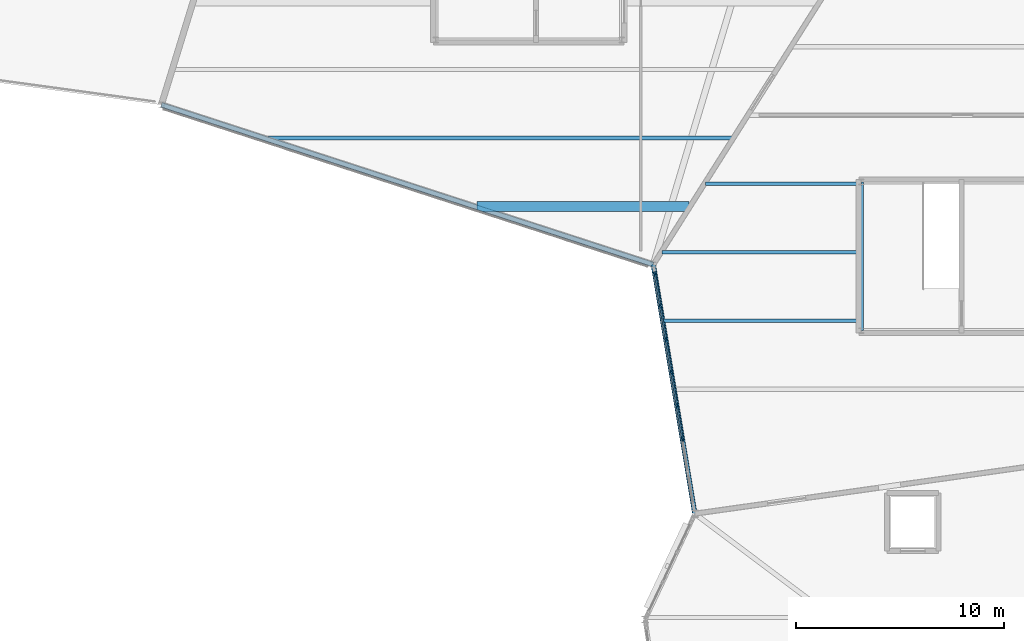
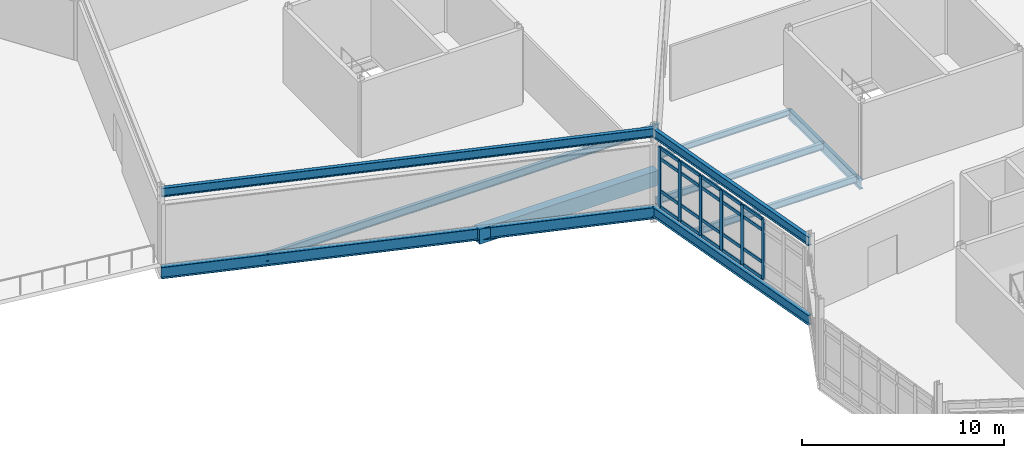
# One storey, part 16 of 76: 26 members, 10 beams, 1 element without a shape of its own.
"""IFC4 building model written with IfcOpenShell, lengths in metres."""

from ifc_helpers import new_model, si_unit, direction, frame, origin, origin_2d, place, context, subcontext, project, spatial, rectangle, i_section, extrude, material, material_profile, profile_set, type_object, element, aggregate, save


model = new_model("IFC4")

# Units and contexts
model_context = context("Model", 3, precision=1e-05, world=origin(), true_north=direction((0.0, 1.0)))
body_context = subcontext(model_context, "Body", "Model", "MODEL_VIEW")
ifc_project = project(units=[si_unit("LENGTHUNIT", "METRE"), si_unit("AREAUNIT", "SQUARE_METRE"), si_unit("VOLUMEUNIT", "CUBIC_METRE"), si_unit("PLANEANGLEUNIT", "RADIAN"), si_unit("MASSUNIT", "GRAM", prefix="KILO")], contexts=[model_context])

# Site, building, storey
site_placement = place(None, origin())
site = spatial("IfcSite", under=ifc_project, at=site_placement, CompositionType="ELEMENT")
building_placement = place(site_placement, origin())
building = spatial("IfcBuilding", under=site, at=building_placement, Name="Tameran Prism Museum", CompositionType="ELEMENT")
storey_placement = place(building_placement, frame((0.0, 0.0, 15.0)))
storey = spatial("IfcBuildingStorey", under=building, at=storey_placement, Name="L03", CompositionType="ELEMENT", Elevation=15.0)

# Beams
ifc_material_1 = material(Name="Steel Grade 300PLUS (300 MPa)", Category="steel")
ifc_material_profile_1 = material_profile(ifc_material_1, i_section(OverallWidth=0.172119140625, OverallDepth=0.35888671875, WebThickness=0.008056640625, FlangeThickness=0.012939453125, FilletRadius=0.011474609375, at=origin_2d()))
ifc_profile_set_1 = profile_set([ifc_material_profile_1])
beam_type_1 = type_object("IfcBeamType", Name="BM-J360A", PredefinedType="JOIST", material=ifc_profile_set_1)
beam_1_placement = place(storey_placement, frame((52.513916015625, 60.5, -0.37939453125), z_axis=(1.0, 0.0, 0.0), x_axis=(0.0, 1.0, 0.0)))
element("IfcBeam", 1, at=beam_1_placement, inside=storey, type_object=beam_type_1, Name="Floor Beam BM-1099", PredefinedType="JOIST", context=body_context, shape_type="SweptSolid", body=[
    extrude(i_section(OverallWidth=0.172119140625, OverallDepth=0.35888671875, WebThickness=0.008056640625, FlangeThickness=0.012939453125, FilletRadius=0.011474609375, at=origin_2d()), origin(), (0.0, 0.0, 1.0), 7.506103515625),
])
ifc_material_2 = material(Name="Steel Grade 300PLUS (300 MPa)", Category="steel")
ifc_material_profile_2 = material_profile(ifc_material_2, i_section(OverallWidth=0.177978515625, OverallDepth=0.403076171875, WebThickness=0.007568359375, FlangeThickness=0.010986328125, FilletRadius=0.011474609375, at=origin_2d()))
ifc_profile_set_2 = profile_set([ifc_material_profile_2])
beam_type_2 = type_object("IfcBeamType", Name="BM-J410B", PredefinedType="JOIST", material=ifc_profile_set_2)
beam_2_placement = place(storey_placement, frame((50.490966796875, 53.89990234375, -0.401611328125), z_axis=(1.0, 0.0, 0.0), x_axis=(0.0, 1.0, 0.0)))
element("IfcBeam", 2, at=beam_2_placement, inside=storey, type_object=beam_type_2, Name="Floor Beam BM-1095", PredefinedType="JOIST", context=body_context, shape_type="SweptSolid", body=[
    extrude(i_section(OverallWidth=0.177978515625, OverallDepth=0.403076171875, WebThickness=0.007568359375, FlangeThickness=0.010986328125, FilletRadius=0.011474609375, at=origin_2d()), origin(), (0.0, 0.0, 1.0), 9.529052734375),
])
beam_3_placement = place(storey_placement, frame((50.427001953125, 57.199951171875, -0.401611328125), z_axis=(1.0, 0.0, 0.0), x_axis=(0.0, 1.0, 0.0)))
element("IfcBeam", 3, at=beam_3_placement, inside=storey, type_object=beam_type_2, Name="Floor Beam BM-1097", PredefinedType="JOIST", context=body_context, shape_type="SweptSolid", body=[
    extrude(i_section(OverallWidth=0.177978515625, OverallDepth=0.403076171875, WebThickness=0.007568359375, FlangeThickness=0.010986328125, FilletRadius=0.011474609375, at=origin_2d()), origin(), (0.0, 0.0, 1.0), 9.593017578125),
])
ifc_material_3 = material(Name="Steel Grade 300PLUS (300 MPa)", Category="steel")
ifc_material_profile_3 = material_profile(ifc_material_3, i_section(OverallWidth=0.19091796875, OverallDepth=0.4599609375, WebThickness=0.010009765625, FlangeThickness=0.01611328125, FilletRadius=0.011474609375, at=origin_2d()))
ifc_profile_set_3 = profile_set([ifc_material_profile_3])
beam_type_3 = type_object("IfcBeamType", Name="BM-J460A", PredefinedType="JOIST", material=ifc_profile_set_3)
beam_4_placement = place(storey_placement, frame((31.35400390625, 62.699951171875, -0.429931640625), z_axis=(1.0, 0.0, 0.0), x_axis=(0.0, 1.0, 0.0)))
element("IfcBeam", 4, at=beam_4_placement, inside=storey, type_object=beam_type_3, Name="Floor Beam BM-1121", PredefinedType="JOIST", context=body_context, shape_type="SweptSolid", body=[
    extrude(i_section(OverallWidth=0.19091796875, OverallDepth=0.4599609375, WebThickness=0.010009765625, FlangeThickness=0.01611328125, FilletRadius=0.011474609375, at=origin_2d()), origin(), (0.0, 0.0, 1.0), 22.45703125),
])
ifc_material_4 = material(Name="Concrete N40 (40 MPa)", Category="concrete")
ifc_material_profile_4 = material_profile(ifc_material_4, rectangle(XDim=0.5, YDim=0.89990234375, at=origin_2d()))
ifc_profile_set_4 = profile_set([ifc_material_profile_4])
beam_type_4 = type_object("IfcBeamType", Name="BM-RC900", PredefinedType="BEAM", material=ifc_profile_set_4)
beam_5_placement = place(storey_placement, frame((41.510986328125, 59.39990234375, -0.64990234375), z_axis=(1.0, 0.0, 0.0), x_axis=(0.0, 1.0, 0.0)))
element("IfcBeam", 5, at=beam_5_placement, inside=storey, type_object=beam_type_4, Name="Floor Beam BM-1120", PredefinedType="BEAM", context=body_context, shape_type="SweptSolid", body=[
    extrude(rectangle(XDim=0.5, YDim=0.89990234375, at=origin_2d()), origin(), (0.0, 0.0, 1.0), 10.213134765625),
])
ifc_material_5 = material(Name="Steel Grade 300PLUS (300 MPa)", Category="steel")
ifc_material_profile_5 = material_profile(ifc_material_5, i_section(OverallWidth=0.208984375, OverallDepth=0.528076171875, WebThickness=0.009521484375, FlangeThickness=0.01318359375, FilletRadius=0.013916015625, at=origin_2d()))
ifc_profile_set_5 = profile_set([ifc_material_profile_5])
beam_type_5 = type_object("IfcBeamType", Name="BM-SP530B", PredefinedType="SPANDREL", material=ifc_profile_set_5)
beam_6_placement = place(storey_placement, frame((50.0, 56.60009765625, 4.256103515625), z_axis=(0.164398987305, -0.986393923832, 0.0), x_axis=(0.986393923832, 0.164398987305, 0.0)))
element("IfcBeam", 6, at=beam_6_placement, inside=storey, type_object=beam_type_5, Name="Roof Ring Beam RB-0970", PredefinedType="SPANDREL", context=body_context, shape_type="SweptSolid", body=[
    extrude(i_section(OverallWidth=0.208984375, OverallDepth=0.528076171875, WebThickness=0.009521484375, FlangeThickness=0.01318359375, FilletRadius=0.013916015625, at=origin_2d()), origin(), (0.0, 0.0, 1.0), 12.16552734375),
])
beam_7_placement = place(storey_placement, frame((26.300048828125, 64.300048828125, 4.285888671875), z_axis=(0.951063943279, -0.308994135535, 0.0), x_axis=(0.308994135535, 0.951063943279, 0.0)))
element("IfcBeam", 7, at=beam_7_placement, inside=storey, type_object=beam_type_5, Name="Roof Ring Beam RB-1001", PredefinedType="SPANDREL", context=body_context, shape_type="SweptSolid", body=[
    extrude(i_section(OverallWidth=0.208984375, OverallDepth=0.528076171875, WebThickness=0.009521484375, FlangeThickness=0.01318359375, FilletRadius=0.013916015625, at=origin_2d()), origin(), (0.0, 0.0, 1.0), 24.91943359375),
])
beam_8_placement = place(storey_placement, frame((60.02001953125, 60.580078125, -0.50390625), z_axis=(0.0, -1.0, 0.0), x_axis=(1.0, 0.0, 0.0)))
element("IfcBeam", 8, at=beam_8_placement, inside=storey, type_object=beam_type_5, Name="Core Ring Beam CTB-1033", PredefinedType="SPANDREL", context=body_context, shape_type="SweptSolid", body=[
    extrude(i_section(OverallWidth=0.208984375, OverallDepth=0.528076171875, WebThickness=0.009521484375, FlangeThickness=0.01318359375, FilletRadius=0.013916015625, at=origin_2d()), origin(), (0.0, 0.0, 1.0), 7.16015625),
])
ifc_material_6 = material(Name="Steel Grade 300PLUS (300 MPa)", Category="steel")
ifc_material_profile_6 = material_profile(ifc_material_6, i_section(OverallWidth=0.22802734375, OverallDepth=0.60205078125, WebThickness=0.010498046875, FlangeThickness=0.014892578125, FilletRadius=0.013916015625, at=origin_2d()))
ifc_profile_set_6 = profile_set([ifc_material_profile_6])
beam_type_6 = type_object("IfcBeamType", Name="BM-SP610", PredefinedType="SPANDREL", material=ifc_profile_set_6)
beam_9_placement = place(storey_placement, frame((50.0, 56.60009765625, -0.5009765625), z_axis=(0.164398987305, -0.986393923832, 0.0), x_axis=(0.986393923832, 0.164398987305, 0.0)))
element("IfcBeam", 9, at=beam_9_placement, inside=storey, type_object=beam_type_6, Name="Perimeter Spandrel SP-0966", PredefinedType="SPANDREL", context=body_context, shape_type="SweptSolid", body=[
    extrude(i_section(OverallWidth=0.22802734375, OverallDepth=0.60205078125, WebThickness=0.010498046875, FlangeThickness=0.014892578125, FilletRadius=0.013916015625, at=origin_2d()), origin(), (0.0, 0.0, 1.0), 12.16552734375),
])
ifc_material_7 = material(Name="Steel Grade 350 (350 MPa)", Category="steel")
ifc_material_profile_7 = material_profile(ifc_material_7, i_section(OverallWidth=0.25, OverallDepth=0.699951171875, WebThickness=0.010009765625, FlangeThickness=0.02001953125, at=origin_2d()))
ifc_profile_set_7 = profile_set([ifc_material_profile_7])
beam_type_7 = type_object("IfcBeamType", Name="BM-SP700", PredefinedType="SPANDREL", material=ifc_profile_set_7)
beam_10_placement = place(storey_placement, frame((26.300048828125, 64.300048828125, -0.550048828125), z_axis=(0.951063943279, -0.308994135535, 0.0), x_axis=(0.308994135535, 0.951063943279, 0.0)))
element("IfcBeam", 10, at=beam_10_placement, inside=storey, type_object=beam_type_7, Name="Perimeter Spandrel SP-0997", PredefinedType="SPANDREL", context=body_context, shape_type="SweptSolid", body=[
    extrude(i_section(OverallWidth=0.25, OverallDepth=0.699951171875, WebThickness=0.010009765625, FlangeThickness=0.02001953125, at=origin_2d()), origin(), (0.0, 0.0, 1.0), 24.91943359375),
])

# Curtain wall, members
ifc_material_8 = material(Name="Anodised Aluminium 6063-T6 and Cyclone Solar Glass", Category="aluminium")
curtain_wall_type = type_object("IfcCurtainWallType", Name="CW-FAC-1135x362", PredefinedType="USERDEFINED", material=ifc_material_8)
curtain_wall_placement = place(storey_placement, origin())
curtain_wall = element("IfcCurtainWall", 11, at=curtain_wall_placement, inside=storey, type_object=curtain_wall_type, Name="Unitised Curtain Wall CW-142", ObjectType="UNITISED CURTAIN WALL", PredefinedType="USERDEFINED")
ifc_material_9 = material(Name="Anodised Aluminium Alloy 6063-T6", Category="aluminium")
ifc_material_profile_8 = material_profile(ifc_material_9, rectangle(XDim=0.080078125, YDim=0.219970703125, at=origin_2d()))
ifc_profile_set_8 = profile_set([ifc_material_profile_8])
member_type_1 = type_object("IfcMemberType", Name="CW-MUL-D", PredefinedType="MULLION", material=ifc_profile_set_8)
member_1_placement = place(storey_placement, frame((51.3994140625, 48.20166015625, 0.0), z_axis=(0.0, 0.0, 1.0), x_axis=(-0.986412973539, -0.164284648199, 0.0)))
member_1 = element("IfcMember", 12, at=member_1_placement, type_object=member_type_1, Name="CW-142 mullion 3", PredefinedType="MULLION", context=body_context, shape_type="SweptSolid", body=[
    extrude(rectangle(XDim=0.080078125, YDim=0.219970703125, at=origin_2d()), origin(), (0.0, 0.0, 1.0), 3.6201171875),
])
member_2_placement = place(storey_placement, frame((51.133056640625, 49.800537109375, 0.0), z_axis=(0.0, 0.0, 1.0), x_axis=(-0.986412973539, -0.164284648199, 0.0)))
member_2 = element("IfcMember", 13, at=member_2_placement, type_object=member_type_1, Name="CW-142 mullion 4", PredefinedType="MULLION", context=body_context, shape_type="SweptSolid", body=[
    extrude(rectangle(XDim=0.080078125, YDim=0.219970703125, at=origin_2d()), origin(), (0.0, 0.0, 1.0), 3.6201171875),
])
member_3_placement = place(storey_placement, frame((50.866943359375, 51.3994140625, 0.0), z_axis=(0.0, 0.0, 1.0), x_axis=(-0.986412973539, -0.164284648199, 0.0)))
member_3 = element("IfcMember", 14, at=member_3_placement, type_object=member_type_1, Name="CW-142 mullion 5", PredefinedType="MULLION", context=body_context, shape_type="SweptSolid", body=[
    extrude(rectangle(XDim=0.080078125, YDim=0.219970703125, at=origin_2d()), origin(), (0.0, 0.0, 1.0), 3.6201171875),
])
member_4_placement = place(storey_placement, frame((50.6005859375, 52.998291015625, 0.0), z_axis=(0.0, 0.0, 1.0), x_axis=(-0.986412973539, -0.164284648199, 0.0)))
member_4 = element("IfcMember", 15, at=member_4_placement, type_object=member_type_1, Name="CW-142 mullion 6", PredefinedType="MULLION", context=body_context, shape_type="SweptSolid", body=[
    extrude(rectangle(XDim=0.080078125, YDim=0.219970703125, at=origin_2d()), origin(), (0.0, 0.0, 1.0), 3.6201171875),
])
member_5_placement = place(storey_placement, frame((50.334228515625, 54.59716796875, 0.0), z_axis=(0.0, 0.0, 1.0), x_axis=(-0.986412973539, -0.164284648199, 0.0)))
member_5 = element("IfcMember", 16, at=member_5_placement, type_object=member_type_1, Name="CW-142 mullion 7", PredefinedType="MULLION", context=body_context, shape_type="SweptSolid", body=[
    extrude(rectangle(XDim=0.080078125, YDim=0.219970703125, at=origin_2d()), origin(), (0.0, 0.0, 1.0), 3.6201171875),
])
member_6_placement = place(storey_placement, frame((50.074462890625, 56.156494140625, 0.0), z_axis=(0.0, 0.0, 1.0), x_axis=(-0.986412973539, -0.164284648199, 0.0)))
member_6 = element("IfcMember", 17, at=member_6_placement, type_object=member_type_1, Name="CW-142 mullion 8", PredefinedType="MULLION", context=body_context, shape_type="SweptSolid", body=[
    extrude(rectangle(XDim=0.080078125, YDim=0.219970703125, at=origin_2d()), origin(), (0.0, 0.0, 1.0), 3.6201171875),
])
ifc_material_10 = material(Name="Anodised Aluminium Alloy 6063-T6", Category="aluminium")
ifc_material_profile_9 = material_profile(ifc_material_10, rectangle(XDim=0.080078125, YDim=0.195068359375, at=origin_2d()))
ifc_profile_set_9 = profile_set([ifc_material_profile_9])
member_type_2 = type_object("IfcMemberType", Name="CW-TRN-D", PredefinedType="USERDEFINED", material=ifc_profile_set_9)
member_7_placement = place(storey_placement, frame((51.392822265625, 48.2412109375, 0.0400390625), z_axis=(-0.164296218313, 0.986411046495, 0.0), x_axis=(-0.986411046495, -0.164296218313, 0.0)))
member_7 = element("IfcMember", 18, at=member_7_placement, type_object=member_type_2, Name="CW-142 transom 3.1", ObjectType="TRANSOM", PredefinedType="USERDEFINED", context=body_context, shape_type="SweptSolid", body=[
    extrude(rectangle(XDim=0.080078125, YDim=0.195068359375, at=origin_2d()), origin(), (0.0, 0.0, 1.0), 1.541015625),
])
member_8_placement = place(storey_placement, frame((51.392822265625, 48.2412109375, 1.0), z_axis=(-0.164296218313, 0.986411046495, 0.0), x_axis=(-0.986411046495, -0.164296218313, 0.0)))
member_8 = element("IfcMember", 19, at=member_8_placement, type_object=member_type_2, Name="CW-142 transom 3.2", ObjectType="TRANSOM", PredefinedType="USERDEFINED", context=body_context, shape_type="SweptSolid", body=[
    extrude(rectangle(XDim=0.080078125, YDim=0.195068359375, at=origin_2d()), origin(), (0.0, 0.0, 1.0), 1.541015625),
])
member_9_placement = place(storey_placement, frame((51.392822265625, 48.2412109375, 2.93994140625), z_axis=(-0.164296218313, 0.986411046495, 0.0), x_axis=(-0.986411046495, -0.164296218313, 0.0)))
member_9 = element("IfcMember", 20, at=member_9_placement, type_object=member_type_2, Name="CW-142 transom 3.3", ObjectType="TRANSOM", PredefinedType="USERDEFINED", context=body_context, shape_type="SweptSolid", body=[
    extrude(rectangle(XDim=0.080078125, YDim=0.195068359375, at=origin_2d()), origin(), (0.0, 0.0, 1.0), 1.541015625),
])
member_10_placement = place(storey_placement, frame((51.392822265625, 48.2412109375, 3.580078125), z_axis=(-0.164296218313, 0.986411046495, 0.0), x_axis=(-0.986411046495, -0.164296218313, 0.0)))
member_10 = element("IfcMember", 21, at=member_10_placement, type_object=member_type_2, Name="CW-142 transom 3.4", ObjectType="TRANSOM", PredefinedType="USERDEFINED", context=body_context, shape_type="SweptSolid", body=[
    extrude(rectangle(XDim=0.080078125, YDim=0.195068359375, at=origin_2d()), origin(), (0.0, 0.0, 1.0), 1.541015625),
])
member_11_placement = place(storey_placement, frame((51.12646484375, 49.840087890625, 0.0400390625), z_axis=(-0.1641677124, 0.986432441785, 0.0), x_axis=(-0.986432441785, -0.1641677124, 0.0)))
member_11 = element("IfcMember", 22, at=member_11_placement, type_object=member_type_2, Name="CW-142 transom 4.1", ObjectType="TRANSOM", PredefinedType="USERDEFINED", context=body_context, shape_type="SweptSolid", body=[
    extrude(rectangle(XDim=0.080078125, YDim=0.195068359375, at=origin_2d()), origin(), (0.0, 0.0, 1.0), 1.540771484375),
])
member_12_placement = place(storey_placement, frame((51.12646484375, 49.840087890625, 1.0), z_axis=(-0.1641677124, 0.986432441785, 0.0), x_axis=(-0.986432441785, -0.1641677124, 0.0)))
member_12 = element("IfcMember", 23, at=member_12_placement, type_object=member_type_2, Name="CW-142 transom 4.2", ObjectType="TRANSOM", PredefinedType="USERDEFINED", context=body_context, shape_type="SweptSolid", body=[
    extrude(rectangle(XDim=0.080078125, YDim=0.195068359375, at=origin_2d()), origin(), (0.0, 0.0, 1.0), 1.540771484375),
])
member_13_placement = place(storey_placement, frame((51.12646484375, 49.840087890625, 2.93994140625), z_axis=(-0.1641677124, 0.986432441785, 0.0), x_axis=(-0.986432441785, -0.1641677124, 0.0)))
member_13 = element("IfcMember", 24, at=member_13_placement, type_object=member_type_2, Name="CW-142 transom 4.3", ObjectType="TRANSOM", PredefinedType="USERDEFINED", context=body_context, shape_type="SweptSolid", body=[
    extrude(rectangle(XDim=0.080078125, YDim=0.195068359375, at=origin_2d()), origin(), (0.0, 0.0, 1.0), 1.540771484375),
])
member_14_placement = place(storey_placement, frame((51.12646484375, 49.840087890625, 3.580078125), z_axis=(-0.1641677124, 0.986432441785, 0.0), x_axis=(-0.986432441785, -0.1641677124, 0.0)))
member_14 = element("IfcMember", 25, at=member_14_placement, type_object=member_type_2, Name="CW-142 transom 4.4", ObjectType="TRANSOM", PredefinedType="USERDEFINED", context=body_context, shape_type="SweptSolid", body=[
    extrude(rectangle(XDim=0.080078125, YDim=0.195068359375, at=origin_2d()), origin(), (0.0, 0.0, 1.0), 1.540771484375),
])
member_15_placement = place(storey_placement, frame((50.8603515625, 51.43896484375, 0.0400390625), z_axis=(-0.164321898681, 0.98640676884, 0.0), x_axis=(-0.98640676884, -0.164321898681, 0.0)))
member_15 = element("IfcMember", 26, at=member_15_placement, type_object=member_type_2, Name="CW-142 transom 5.1", ObjectType="TRANSOM", PredefinedType="USERDEFINED", context=body_context, shape_type="SweptSolid", body=[
    extrude(rectangle(XDim=0.080078125, YDim=0.195068359375, at=origin_2d()), origin(), (0.0, 0.0, 1.0), 1.540771484375),
])
member_16_placement = place(storey_placement, frame((50.8603515625, 51.43896484375, 1.0), z_axis=(-0.164321898681, 0.98640676884, 0.0), x_axis=(-0.98640676884, -0.164321898681, 0.0)))
member_16 = element("IfcMember", 27, at=member_16_placement, type_object=member_type_2, Name="CW-142 transom 5.2", ObjectType="TRANSOM", PredefinedType="USERDEFINED", context=body_context, shape_type="SweptSolid", body=[
    extrude(rectangle(XDim=0.080078125, YDim=0.195068359375, at=origin_2d()), origin(), (0.0, 0.0, 1.0), 1.540771484375),
])
member_17_placement = place(storey_placement, frame((50.8603515625, 51.43896484375, 2.93994140625), z_axis=(-0.164321898681, 0.98640676884, 0.0), x_axis=(-0.98640676884, -0.164321898681, 0.0)))
member_17 = element("IfcMember", 28, at=member_17_placement, type_object=member_type_2, Name="CW-142 transom 5.3", ObjectType="TRANSOM", PredefinedType="USERDEFINED", context=body_context, shape_type="SweptSolid", body=[
    extrude(rectangle(XDim=0.080078125, YDim=0.195068359375, at=origin_2d()), origin(), (0.0, 0.0, 1.0), 1.540771484375),
])
member_18_placement = place(storey_placement, frame((50.8603515625, 51.43896484375, 3.580078125), z_axis=(-0.164321898681, 0.98640676884, 0.0), x_axis=(-0.98640676884, -0.164321898681, 0.0)))
member_18 = element("IfcMember", 29, at=member_18_placement, type_object=member_type_2, Name="CW-142 transom 5.4", ObjectType="TRANSOM", PredefinedType="USERDEFINED", context=body_context, shape_type="SweptSolid", body=[
    extrude(rectangle(XDim=0.080078125, YDim=0.195068359375, at=origin_2d()), origin(), (0.0, 0.0, 1.0), 1.540771484375),
])
member_19_placement = place(storey_placement, frame((50.593994140625, 53.037841796875, 0.0400390625), z_axis=(-0.164321898681, 0.98640676884, 0.0), x_axis=(-0.98640676884, -0.164321898681, 0.0)))
member_19 = element("IfcMember", 30, at=member_19_placement, type_object=member_type_2, Name="CW-142 transom 6.1", ObjectType="TRANSOM", PredefinedType="USERDEFINED", context=body_context, shape_type="SweptSolid", body=[
    extrude(rectangle(XDim=0.080078125, YDim=0.195068359375, at=origin_2d()), origin(), (0.0, 0.0, 1.0), 1.540771484375),
])
member_20_placement = place(storey_placement, frame((50.593994140625, 53.037841796875, 1.0), z_axis=(-0.164321898681, 0.98640676884, 0.0), x_axis=(-0.98640676884, -0.164321898681, 0.0)))
member_20 = element("IfcMember", 31, at=member_20_placement, type_object=member_type_2, Name="CW-142 transom 6.2", ObjectType="TRANSOM", PredefinedType="USERDEFINED", context=body_context, shape_type="SweptSolid", body=[
    extrude(rectangle(XDim=0.080078125, YDim=0.195068359375, at=origin_2d()), origin(), (0.0, 0.0, 1.0), 1.540771484375),
])
member_21_placement = place(storey_placement, frame((50.593994140625, 53.037841796875, 2.93994140625), z_axis=(-0.164321898681, 0.98640676884, 0.0), x_axis=(-0.98640676884, -0.164321898681, 0.0)))
member_21 = element("IfcMember", 32, at=member_21_placement, type_object=member_type_2, Name="CW-142 transom 6.3", ObjectType="TRANSOM", PredefinedType="USERDEFINED", context=body_context, shape_type="SweptSolid", body=[
    extrude(rectangle(XDim=0.080078125, YDim=0.195068359375, at=origin_2d()), origin(), (0.0, 0.0, 1.0), 1.540771484375),
])
member_22_placement = place(storey_placement, frame((50.593994140625, 53.037841796875, 3.580078125), z_axis=(-0.164321898681, 0.98640676884, 0.0), x_axis=(-0.98640676884, -0.164321898681, 0.0)))
member_22 = element("IfcMember", 33, at=member_22_placement, type_object=member_type_2, Name="CW-142 transom 6.4", ObjectType="TRANSOM", PredefinedType="USERDEFINED", context=body_context, shape_type="SweptSolid", body=[
    extrude(rectangle(XDim=0.080078125, YDim=0.195068359375, at=origin_2d()), origin(), (0.0, 0.0, 1.0), 1.540771484375),
])
member_23_placement = place(storey_placement, frame((50.32763671875, 54.63671875, 0.0400390625), z_axis=(-0.164293472762, 0.986411503789, 0.0), x_axis=(-0.986411503789, -0.164293472762, 0.0)))
member_23 = element("IfcMember", 34, at=member_23_placement, type_object=member_type_2, Name="CW-142 transom 7.1", ObjectType="TRANSOM", PredefinedType="USERDEFINED", context=body_context, shape_type="SweptSolid", body=[
    extrude(rectangle(XDim=0.080078125, YDim=0.195068359375, at=origin_2d()), origin(), (0.0, 0.0, 1.0), 1.5009765625),
])
member_24_placement = place(storey_placement, frame((50.32763671875, 54.63671875, 1.0), z_axis=(-0.164293472762, 0.986411503789, 0.0), x_axis=(-0.986411503789, -0.164293472762, 0.0)))
member_24 = element("IfcMember", 35, at=member_24_placement, type_object=member_type_2, Name="CW-142 transom 7.2", ObjectType="TRANSOM", PredefinedType="USERDEFINED", context=body_context, shape_type="SweptSolid", body=[
    extrude(rectangle(XDim=0.080078125, YDim=0.195068359375, at=origin_2d()), origin(), (0.0, 0.0, 1.0), 1.5009765625),
])
member_25_placement = place(storey_placement, frame((50.32763671875, 54.63671875, 2.93994140625), z_axis=(-0.164293472762, 0.986411503789, 0.0), x_axis=(-0.986411503789, -0.164293472762, 0.0)))
member_25 = element("IfcMember", 36, at=member_25_placement, type_object=member_type_2, Name="CW-142 transom 7.3", ObjectType="TRANSOM", PredefinedType="USERDEFINED", context=body_context, shape_type="SweptSolid", body=[
    extrude(rectangle(XDim=0.080078125, YDim=0.195068359375, at=origin_2d()), origin(), (0.0, 0.0, 1.0), 1.5009765625),
])
member_26_placement = place(storey_placement, frame((50.32763671875, 54.63671875, 3.580078125), z_axis=(-0.164293472762, 0.986411503789, 0.0), x_axis=(-0.986411503789, -0.164293472762, 0.0)))
member_26 = element("IfcMember", 37, at=member_26_placement, type_object=member_type_2, Name="CW-142 transom 7.4", ObjectType="TRANSOM", PredefinedType="USERDEFINED", context=body_context, shape_type="SweptSolid", body=[
    extrude(rectangle(XDim=0.080078125, YDim=0.195068359375, at=origin_2d()), origin(), (0.0, 0.0, 1.0), 1.5009765625),
])
aggregate(curtain_wall, [member_1, member_2, member_3, member_4, member_5, member_6, member_7, member_8, member_9, member_10, member_11, member_12, member_13, member_14, member_15, member_16, member_17, member_18, member_19, member_20, member_21, member_22, member_23, member_24, member_25, member_26])

save(model, "model.ifc")
